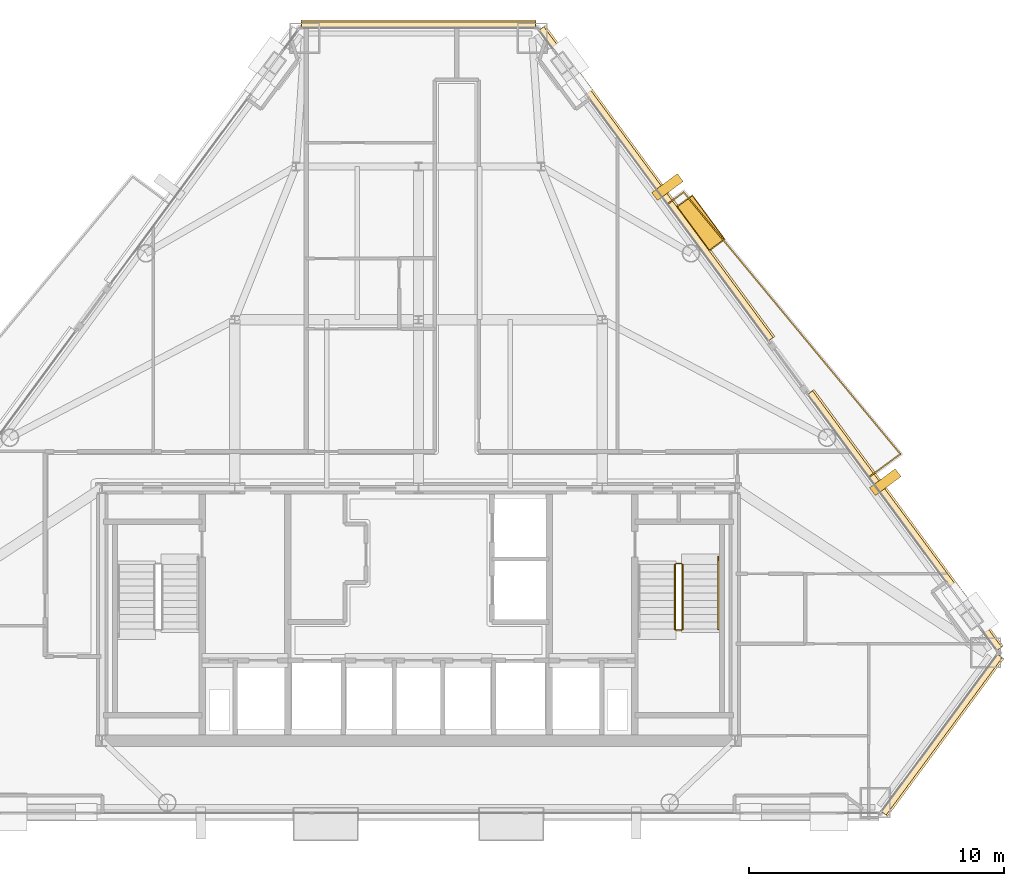
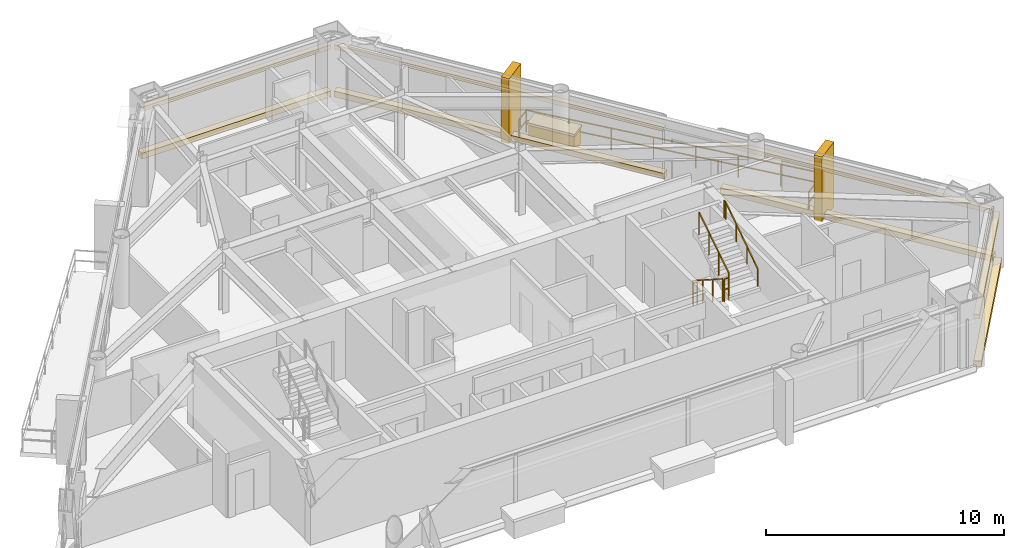
# One storey, part 12 of 12: 12 coverings, 6 railings.
"""IFC4 building model written with IfcOpenShell, lengths in metres."""

from ifc_helpers import new_model, si_unit, direction, frame, origin, origin_2d, place, context, subcontext, project, spatial, rectangle, extrude, material, layer, layer_set, type_object, element, save


model = new_model("IFC4")

# Units and contexts
model_context = context("Model", 3, precision=1e-05, world=origin(), true_north=direction((0.0, 1.0)))
body_context = subcontext(model_context, "Body", "Model", "MODEL_VIEW")
ifc_project = project(units=[si_unit("LENGTHUNIT", "METRE"), si_unit("AREAUNIT", "SQUARE_METRE"), si_unit("VOLUMEUNIT", "CUBIC_METRE"), si_unit("PLANEANGLEUNIT", "RADIAN"), si_unit("MASSUNIT", "GRAM", prefix="KILO")], contexts=[model_context])

# Site, building, storey
site_placement = place(None, origin())
site = spatial("IfcSite", under=ifc_project, at=site_placement, CompositionType="ELEMENT")
building_placement = place(site_placement, origin())
building = spatial("IfcBuilding", under=site, at=building_placement, Name="Talgorran Terracotta Tower", CompositionType="ELEMENT")
storey_placement = place(building_placement, frame((0.0, 0.0, 165.300048828125)))
storey = spatial("IfcBuildingStorey", under=building, at=storey_placement, Name="L43", CompositionType="ELEMENT", Elevation=165.300048828125)

# Coverings
ifc_material_1 = material(Name="Kiln-Fired Terracotta Ochre Ceramic", Category="masonry")
ifc_layer_1 = layer(ifc_material_1, 0.179931640625, Name="COV_BAGUETTE_TERRACOTTA_SCREEN")
ifc_layer_set_1 = layer_set([ifc_layer_1], Name="Kiln-Fired Terracotta Ochre Ceramic")
covering_type_1 = type_object("IfcCoveringType", Name="COV_BAGUETTE_TERRACOTTA_SCREEN", PredefinedType="CLADDING", material=ifc_layer_set_1)
covering_1_placement = place(storey_placement, frame((20.49609375, -13.851806640625, 2.41015625), z_axis=(0.0, 0.0, 1.0), x_axis=(0.593784074712, 0.804624429544, 0.0)))
element("IfcCovering", 1, at=covering_1_placement, inside=storey, type_object=covering_type_1, Name="L43 Terracotta Baguette Solar Screen Assembly F2", PredefinedType="CLADDING", context=body_context, shape_type="SweptSolid", body=[
    extrude(rectangle(XDim=7.6591796875, YDim=0.260009765625, at=origin_2d()), origin(), (0.0, 0.0, 1.0), 0.219970703125),
])
covering_2_placement = place(storey_placement, frame((19.04150390625, -5.486328125, 2.41015625), z_axis=(0.0, 0.0, 1.0), x_axis=(-0.593784074712, 0.804624429544, 0.0)))
element("IfcCovering", 2, at=covering_2_placement, inside=storey, type_object=covering_type_1, Name="L43 Terracotta Baguette Solar Screen Assembly F40", PredefinedType="CLADDING", context=body_context, shape_type="SweptSolid", body=[
    extrude(rectangle(XDim=12.47900390625, YDim=0.260009765625, at=origin_2d()), origin(), (0.0, 0.0, 1.0), 0.219970703125),
])
covering_3_placement = place(storey_placement, frame((9.298828125, 7.7158203125, 2.41015625), z_axis=(0.0, 0.0, 1.0), x_axis=(-0.593784074712, 0.804624429544, 0.0)))
element("IfcCovering", 3, at=covering_3_placement, inside=storey, type_object=covering_type_1, Name="L43 Terracotta Baguette Solar Screen Assembly F41", PredefinedType="CLADDING", context=body_context, shape_type="SweptSolid", body=[
    extrude(rectangle(XDim=15.13671875, YDim=0.260009765625, at=origin_2d()), origin(), (0.0, 0.0, 1.0), 0.219970703125),
])
covering_4_placement = place(storey_placement, frame((0.0, 13.9345703125, 2.41015625), z_axis=(0.0, 0.0, 1.0), x_axis=(-1.0, 0.0, 0.0)))
element("IfcCovering", 4, at=covering_4_placement, inside=storey, type_object=covering_type_1, Name="L43 Terracotta Baguette Solar Screen Assembly F4", PredefinedType="CLADDING", context=body_context, shape_type="SweptSolid", body=[
    extrude(rectangle(XDim=9.177978515625, YDim=0.260009765625, at=origin_2d()), origin(), (0.0, 0.0, 1.0), 0.219970703125),
])
ifc_material_2 = material(Name="Honed Limestone and Terracotta Planter", Category="masonry")
ifc_layer_2 = layer(ifc_material_2, 0.1201171875, Name="COV_PLANTER_BOX")
ifc_layer_set_2 = layer_set([ifc_layer_2], Name="Honed Limestone and Terracotta Planter")
covering_type_2 = type_object("IfcCoveringType", Name="COV_PLANTER_BOX", PredefinedType="CLADDING", material=ifc_layer_set_2)
covering_5_placement = place(storey_placement, frame((11.067138671875, 6.193603515625, -0.02001953125), z_axis=(0.0, 0.0, 1.0), x_axis=(-0.593784074712, 0.804624429544, 0.0)))
element("IfcCovering", 5, at=covering_5_placement, inside=storey, type_object=covering_type_2, Name="L43 Staggered Balcony Planter Box BAL-NE", PredefinedType="CLADDING", context=body_context, shape_type="SweptSolid", body=[
    extrude(rectangle(XDim=2.10009765625, YDim=0.719970703125, at=origin_2d()), origin(), (0.0, 0.0, 1.0), 0.860107421875),
])
ifc_material_3 = material(Name="Kiln-Fired Terracotta Planter Rim", Category="masonry")
ifc_layer_3 = layer(ifc_material_3, 0.10009765625, Name="COV_PLANTER_RIM")
ifc_layer_set_3 = layer_set([ifc_layer_3], Name="Kiln-Fired Terracotta Planter Rim")
covering_type_3 = type_object("IfcCoveringType", Name="COV_PLANTER_RIM", PredefinedType="CLADDING", material=ifc_layer_set_3)
covering_6_placement = place(storey_placement, frame((11.067138671875, 6.193603515625, 0.7998046875), z_axis=(0.0, 0.0, 1.0), x_axis=(-0.593784074712, 0.804624429544, 0.0)))
element("IfcCovering", 6, at=covering_6_placement, inside=storey, type_object=covering_type_3, Name="L43 Balcony Planter Terracotta Rim BAL-NE", PredefinedType="CLADDING", context=body_context, shape_type="SweptSolid", body=[
    extrude(rectangle(XDim=2.179931640625, YDim=0.780029296875, at=origin_2d()), origin(), (0.0, 0.0, 1.0), 0.1201171875),
])
ifc_material_4 = material(Name="Honed Limestone Cladding", Category="masonry")
ifc_layer_4 = layer(ifc_material_4, 0.094970703125, Name="COV_PORTAL_LIME")
ifc_layer_set_4 = layer_set([ifc_layer_4], Name="Honed Limestone Cladding")
covering_type_4 = type_object("IfcCoveringType", Name="COV_PORTAL_LIME", PredefinedType="CLADDING", material=ifc_layer_set_4)
covering_7_placement = place(storey_placement, frame((18.293212890625, -3.966796875, -0.050048828125), z_axis=(0.0, 0.0, 1.0), x_axis=(-0.593784074712, 0.804624429544, 0.0)))
element("IfcCovering", 7, at=covering_7_placement, inside=storey, type_object=covering_type_4, Name="L43 White Striped Portal Fin F3-1", PredefinedType="CLADDING", context=body_context, shape_type="SweptSolid", body=[
    extrude(rectangle(XDim=0.3798828125, YDim=1.25, at=origin_2d()), origin(), (0.0, 0.0, 1.0), 3.330078125),
])
ifc_material_5 = material(Name="Kiln-Fired Terracotta Cladding", Category="masonry")
ifc_layer_5 = layer(ifc_material_5, 0.090087890625, Name="COV_PORTAL_TERRA")
ifc_layer_set_5 = layer_set([ifc_layer_5], Name="Kiln-Fired Terracotta Cladding")
covering_type_5 = type_object("IfcCoveringType", Name="COV_PORTAL_TERRA", PredefinedType="CLADDING", material=ifc_layer_set_5)
covering_8_placement = place(storey_placement, frame((20.5283203125, -13.87548828125, -0.0400390625), z_axis=(0.0, 0.0, 1.0), x_axis=(0.593784074712, 0.804624429544, 0.0)))
element("IfcCovering", 8, at=covering_8_placement, inside=storey, type_object=covering_type_5, Name="L43 Striped Postmodern Portal Cladding Band F2", PredefinedType="CLADDING", context=body_context, shape_type="SweptSolid", body=[
    extrude(rectangle(XDim=7.67919921875, YDim=0.340087890625, at=origin_2d()), origin(), (0.0, 0.0, 1.0), 0.300048828125),
])
covering_9_placement = place(storey_placement, frame((19.073486328125, -5.46240234375, -0.0400390625), z_axis=(0.0, 0.0, 1.0), x_axis=(-0.593784074712, 0.804624429544, 0.0)))
element("IfcCovering", 9, at=covering_9_placement, inside=storey, type_object=covering_type_5, Name="L43 Striped Postmodern Portal Cladding Band F40", PredefinedType="CLADDING", context=body_context, shape_type="SweptSolid", body=[
    extrude(rectangle(XDim=12.4990234375, YDim=0.340087890625, at=origin_2d()), origin(), (0.0, 0.0, 1.0), 0.300048828125),
])
covering_10_placement = place(storey_placement, frame((9.330810546875, 7.739501953125, -0.0400390625), z_axis=(0.0, 0.0, 1.0), x_axis=(-0.593784074712, 0.804624429544, 0.0)))
element("IfcCovering", 10, at=covering_10_placement, inside=storey, type_object=covering_type_5, Name="L43 Striped Postmodern Portal Cladding Band F41", PredefinedType="CLADDING", context=body_context, shape_type="SweptSolid", body=[
    extrude(rectangle(XDim=15.156494140625, YDim=0.340087890625, at=origin_2d()), origin(), (0.0, 0.0, 1.0), 0.300048828125),
])
covering_11_placement = place(storey_placement, frame((0.0, 13.974609375, -0.0400390625), z_axis=(0.0, 0.0, 1.0), x_axis=(-1.0, 0.0, 0.0)))
element("IfcCovering", 11, at=covering_11_placement, inside=storey, type_object=covering_type_5, Name="L43 Striped Postmodern Portal Cladding Band F4", PredefinedType="CLADDING", context=body_context, shape_type="SweptSolid", body=[
    extrude(rectangle(XDim=9.197998046875, YDim=0.340087890625, at=origin_2d()), origin(), (0.0, 0.0, 1.0), 0.300048828125),
])
covering_12_placement = place(storey_placement, frame((9.757568359375, 7.599365234375, -0.050048828125), z_axis=(0.0, 0.0, 1.0), x_axis=(-0.593784074712, 0.804624429544, 0.0)))
element("IfcCovering", 12, at=covering_12_placement, inside=storey, type_object=covering_type_5, Name="L43 Terracotta Striped Portal Fin F3-2", PredefinedType="CLADDING", context=body_context, shape_type="SweptSolid", body=[
    extrude(rectangle(XDim=0.3798828125, YDim=1.25, at=origin_2d()), origin(), (0.0, 0.0, 1.0), 3.330078125),
])

# Railings
ifc_material_6 = material(Name="Laminated Glass and Stainless Steel 316", Category="steel")
railing_type_1 = type_object("IfcRailingType", Name="RL_BALCONY_1150", PredefinedType="BALUSTRADE", material=ifc_material_6)
railing_1_placement = place(storey_placement, frame((17.66748046875, -3.759033203125, 0.0)))
element("IfcRailing", 13, at=railing_1_placement, inside=storey, type_object=railing_type_1, Name="RL-L43-BAL-BAL-NE", PredefinedType="BALUSTRADE", context=body_context, shape_type="SweptSolid", body=[
    extrude(rectangle(XDim=0.048095703125, YDim=0.048095703125, at=origin_2d()), frame((0.0, 0.0, 1.1259765625), z_axis=(0.804596161548, 0.593822378175, 0.0), x_axis=(-0.593822378175, 0.804596161548, 0.0)), (0.0, 0.0, 1.0), 1.50927734375),
    extrude(rectangle(XDim=0.048095703125, YDim=0.048095703125, at=origin_2d()), frame((0.0, 0.0, 0.597900390625), z_axis=(0.804596161548, 0.593822378175, 0.0), x_axis=(-0.593822378175, 0.804596161548, 0.0)), (0.0, 0.0, 1.0), 1.50927734375),
    extrude(rectangle(XDim=0.048095703125, YDim=0.048095703125, at=origin_2d()), frame((1.21435546875, 0.896240234375, 1.1259765625), z_axis=(-0.63761498469, 0.770355198138, 0.0), x_axis=(-0.770355198138, -0.63761498469, 0.0)), (0.0, 0.0, 1.0), 13.31787109375),
    extrude(rectangle(XDim=0.048095703125, YDim=0.048095703125, at=origin_2d()), frame((1.21435546875, 0.896240234375, 0.597900390625), z_axis=(-0.63761498469, 0.770355198138, 0.0), x_axis=(-0.770355198138, -0.63761498469, 0.0)), (0.0, 0.0, 1.0), 13.31787109375),
    extrude(rectangle(XDim=0.048095703125, YDim=0.048095703125, at=origin_2d()), frame((-7.27734375, 11.15576171875, 1.1259765625), z_axis=(-0.804512650758, -0.593935513983, 0.0), x_axis=(0.593935513983, -0.804512650758, 0.0)), (0.0, 0.0, 1.0), 0.7685546875),
    extrude(rectangle(XDim=0.048095703125, YDim=0.048095703125, at=origin_2d()), frame((-7.27734375, 11.15576171875, 0.597900390625), z_axis=(-0.804512650758, -0.593935513983, 0.0), x_axis=(0.593935513983, -0.804512650758, 0.0)), (0.0, 0.0, 1.0), 0.7685546875),
    extrude(rectangle(XDim=0.0419921875, YDim=0.0419921875, at=origin_2d()), origin(), (0.0, 0.0, 1.0), 1.101806640625),
    extrude(rectangle(XDim=0.0419921875, YDim=0.0419921875, at=origin_2d()), frame((1.21435546875, 0.896240234375, 0.0)), (0.0, 0.0, 1.0), 1.101806640625),
    extrude(rectangle(XDim=0.0419921875, YDim=0.0419921875, at=origin_2d()), frame((0.001220703125, 2.36181640625, 0.0)), (0.0, 0.0, 1.0), 1.101806640625),
    extrude(rectangle(XDim=0.0419921875, YDim=0.0419921875, at=origin_2d()), frame((-1.2119140625, 3.82763671875, 0.0)), (0.0, 0.0, 1.0), 1.101806640625),
    extrude(rectangle(XDim=0.0419921875, YDim=0.0419921875, at=origin_2d()), frame((-2.425048828125, 5.293212890625, 0.0)), (0.0, 0.0, 1.0), 1.101806640625),
    extrude(rectangle(XDim=0.0419921875, YDim=0.0419921875, at=origin_2d()), frame((-3.637939453125, 6.7587890625, 0.0)), (0.0, 0.0, 1.0), 1.101806640625),
    extrude(rectangle(XDim=0.0419921875, YDim=0.0419921875, at=origin_2d()), frame((-4.85107421875, 8.224365234375, 0.0)), (0.0, 0.0, 1.0), 1.101806640625),
    extrude(rectangle(XDim=0.0419921875, YDim=0.0419921875, at=origin_2d()), frame((-6.064208984375, 9.690185546875, 0.0)), (0.0, 0.0, 1.0), 1.101806640625),
    extrude(rectangle(XDim=0.0419921875, YDim=0.0419921875, at=origin_2d()), frame((-7.27734375, 11.15576171875, 0.0)), (0.0, 0.0, 1.0), 1.101806640625),
    extrude(rectangle(XDim=0.0419921875, YDim=0.0419921875, at=origin_2d()), frame((-7.895751953125, 10.69921875, 0.0)), (0.0, 0.0, 1.0), 1.101806640625),
])
ifc_material_7 = material(Name="Steel S355 (300PLUS)", Category="steel")
railing_type_2 = type_object("IfcRailingType", Name="RL_HANDRAIL_920", PredefinedType="HANDRAIL", material=ifc_material_7)
railing_2_placement = place(storey_placement, frame((11.75, -9.719970703125, 1.97998046875)))
element("IfcRailing", 14, at=railing_2_placement, inside=storey, type_object=railing_type_2, Name="L43 ST-02 stair handrail 2", PredefinedType="HANDRAIL", context=body_context, shape_type="SweptSolid", body=[
    extrude(rectangle(XDim=0.048095703125, YDim=0.048095703125, at=origin_2d()), frame((0.0, 0.0, 0.89599609375), z_axis=(0.0, 0.832038719335, 0.554717558338), x_axis=(-1.0, 0.0, 0.0)), (0.0, 0.0, 1.0), 3.244873046875),
    extrude(rectangle(XDim=0.048095703125, YDim=0.048095703125, at=origin_2d()), frame((0.0, 2.699951171875, 2.69580078125), z_axis=(0.0, 1.0, 0.0), x_axis=(-1.0, 0.0, 0.0)), (0.0, 0.0, 1.0), 0.1201171875),
    extrude(rectangle(XDim=0.0419921875, YDim=0.0419921875, at=origin_2d()), origin(), (0.0, 0.0, 1.0), 0.871826171875),
    extrude(rectangle(XDim=0.0419921875, YDim=0.0419921875, at=origin_2d()), frame((0.0, 0.89990234375, 0.60009765625)), (0.0, 0.0, 1.0), 0.871826171875),
    extrude(rectangle(XDim=0.0419921875, YDim=0.0419921875, at=origin_2d()), frame((0.0, 1.800048828125, 1.199951171875)), (0.0, 0.0, 1.0), 0.871826171875),
    extrude(rectangle(XDim=0.0419921875, YDim=0.0419921875, at=origin_2d()), frame((0.0, 2.699951171875, 1.800048828125)), (0.0, 0.0, 1.0), 0.871826171875),
    extrude(rectangle(XDim=0.0419921875, YDim=0.0419921875, at=origin_2d()), frame((0.0, 2.820068359375, 1.800048828125)), (0.0, 0.0, 1.0), 0.871826171875),
])
railing_type_3 = type_object("IfcRailingType", Name="RL_STAIR_GUARD", PredefinedType="GUARDRAIL", material=ifc_material_7)
railing_3_placement = place(storey_placement, frame((10.050048828125, -7.199951171875, 0.179931640625)))
element("IfcRailing", 15, at=railing_3_placement, inside=storey, type_object=railing_type_3, Name="L43 ST-02 stair guard 1", PredefinedType="GUARDRAIL", context=body_context, shape_type="SweptSolid", body=[
    extrude(rectangle(XDim=0.048095703125, YDim=0.048095703125, at=origin_2d()), frame((0.0, 0.0, 1.15576171875), z_axis=(0.0, -0.841162588446, 0.540782303519), x_axis=(1.0, 0.0, 0.0)), (0.0, 0.0, 1.0), 2.995849609375),
    extrude(rectangle(XDim=0.0419921875, YDim=0.0419921875, at=origin_2d()), origin(), (0.0, 0.0, 1.0), 1.1318359375),
    extrude(rectangle(XDim=0.0419921875, YDim=0.0419921875, at=origin_2d()), frame((0.0, -0.840087890625, 0.5400390625)), (0.0, 0.0, 1.0), 1.1318359375),
    extrude(rectangle(XDim=0.0419921875, YDim=0.0419921875, at=origin_2d()), frame((0.0, -1.679931640625, 1.080078125)), (0.0, 0.0, 1.0), 1.1318359375),
    extrude(rectangle(XDim=0.0419921875, YDim=0.0419921875, at=origin_2d()), frame((0.0, -2.52001953125, 1.6201171875)), (0.0, 0.0, 1.0), 1.1318359375),
])
railing_4_placement = place(storey_placement, frame((10.10009765625, -9.77001953125, 1.800048828125)))
element("IfcRailing", 16, at=railing_4_placement, inside=storey, type_object=railing_type_3, Name="L43 ST-02 stair guard 2", PredefinedType="GUARDRAIL", context=body_context, shape_type="SweptSolid", body=[
    extrude(rectangle(XDim=0.048095703125, YDim=0.048095703125, at=origin_2d()), frame((0.0, 0.0, 1.15576171875), z_axis=(1.0, 0.0, 0.0), x_axis=(0.0, 1.0, 0.0)), (0.0, 0.0, 1.0), 0.199951171875),
    extrude(rectangle(XDim=0.048095703125, YDim=0.048095703125, at=origin_2d()), frame((0.0, 0.0, 0.613525390625), z_axis=(1.0, 0.0, 0.0), x_axis=(0.0, 1.0, 0.0)), (0.0, 0.0, 1.0), 0.199951171875),
    extrude(rectangle(XDim=0.0419921875, YDim=0.0419921875, at=origin_2d()), origin(), (0.0, 0.0, 1.0), 1.1318359375),
    extrude(rectangle(XDim=0.0419921875, YDim=0.0419921875, at=origin_2d()), frame((0.199951171875, 0.0, 0.0)), (0.0, 0.0, 1.0), 1.1318359375),
])
railing_5_placement = place(storey_placement, frame((10.35009765625, -9.719970703125, 1.97998046875)))
element("IfcRailing", 17, at=railing_5_placement, inside=storey, type_object=railing_type_3, Name="L43 ST-02 stair guard 3", PredefinedType="GUARDRAIL", context=body_context, shape_type="SweptSolid", body=[
    extrude(rectangle(XDim=0.048095703125, YDim=0.048095703125, at=origin_2d()), frame((0.0, 0.0, 1.15576171875), z_axis=(0.0, 0.841199657755, 0.540724639528), x_axis=(-1.0, 0.0, 0.0)), (0.0, 0.0, 1.0), 2.995849609375),
    extrude(rectangle(XDim=0.0419921875, YDim=0.0419921875, at=origin_2d()), origin(), (0.0, 0.0, 1.0), 1.1318359375),
    extrude(rectangle(XDim=0.0419921875, YDim=0.0419921875, at=origin_2d()), frame((0.0, 0.840087890625, 0.5400390625)), (0.0, 0.0, 1.0), 1.1318359375),
    extrude(rectangle(XDim=0.0419921875, YDim=0.0419921875, at=origin_2d()), frame((0.0, 1.679931640625, 1.079833984375)), (0.0, 0.0, 1.0), 1.1318359375),
    extrude(rectangle(XDim=0.0419921875, YDim=0.0419921875, at=origin_2d()), frame((0.0, 2.52001953125, 1.619873046875)), (0.0, 0.0, 1.0), 1.1318359375),
])
railing_6_placement = place(storey_placement, frame((10.10009765625, -7.14990234375, 0.0)))
element("IfcRailing", 18, at=railing_6_placement, inside=storey, type_object=railing_type_3, Name="L43 ST-02 stair guard 4", PredefinedType="GUARDRAIL", context=body_context, shape_type="SweptSolid", body=[
    extrude(rectangle(XDim=0.048095703125, YDim=0.048095703125, at=origin_2d()), frame((0.0, 0.0, 1.15576171875), z_axis=(1.0, 0.0, 0.0), x_axis=(0.0, 1.0, 0.0)), (0.0, 0.0, 1.0), 0.199951171875),
    extrude(rectangle(XDim=0.048095703125, YDim=0.048095703125, at=origin_2d()), frame((0.0, 0.0, 0.613525390625), z_axis=(1.0, 0.0, 0.0), x_axis=(0.0, 1.0, 0.0)), (0.0, 0.0, 1.0), 0.199951171875),
    extrude(rectangle(XDim=0.0419921875, YDim=0.0419921875, at=origin_2d()), origin(), (0.0, 0.0, 1.0), 1.1318359375),
    extrude(rectangle(XDim=0.0419921875, YDim=0.0419921875, at=origin_2d()), frame((0.199951171875, 0.0, 0.0)), (0.0, 0.0, 1.0), 1.1318359375),
])

save(model, "model.ifc")
